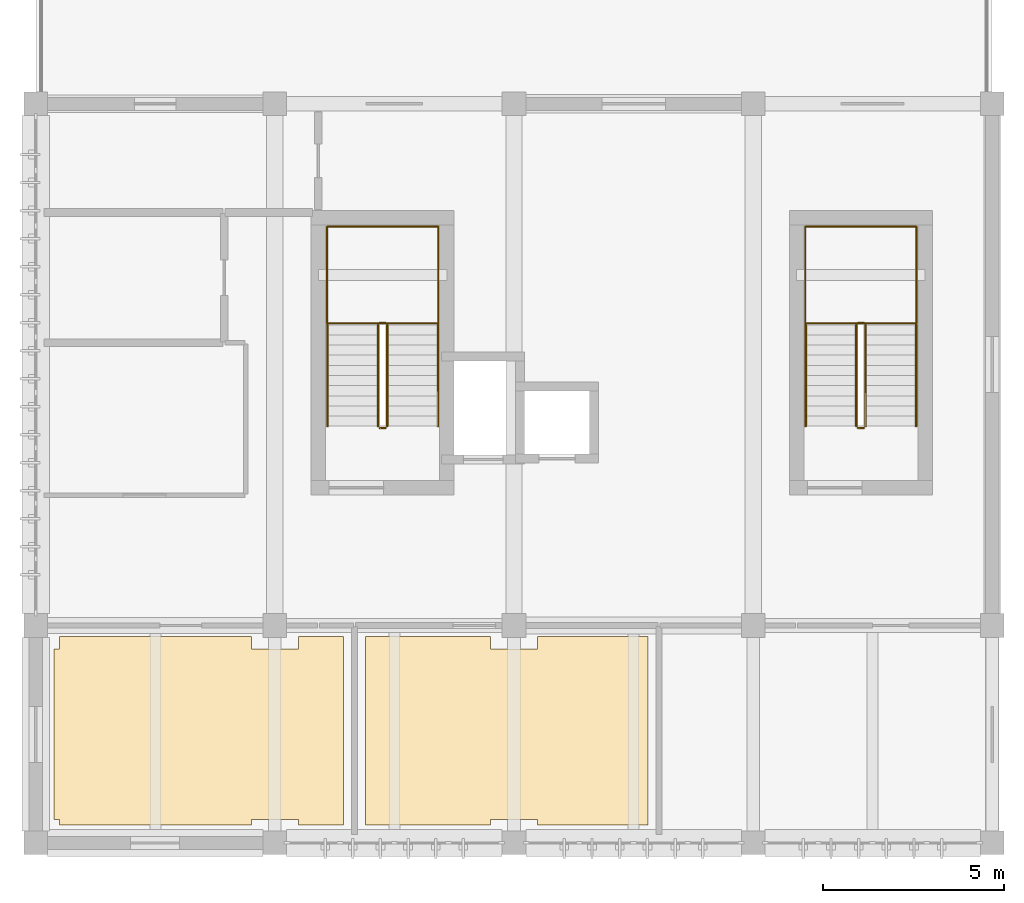
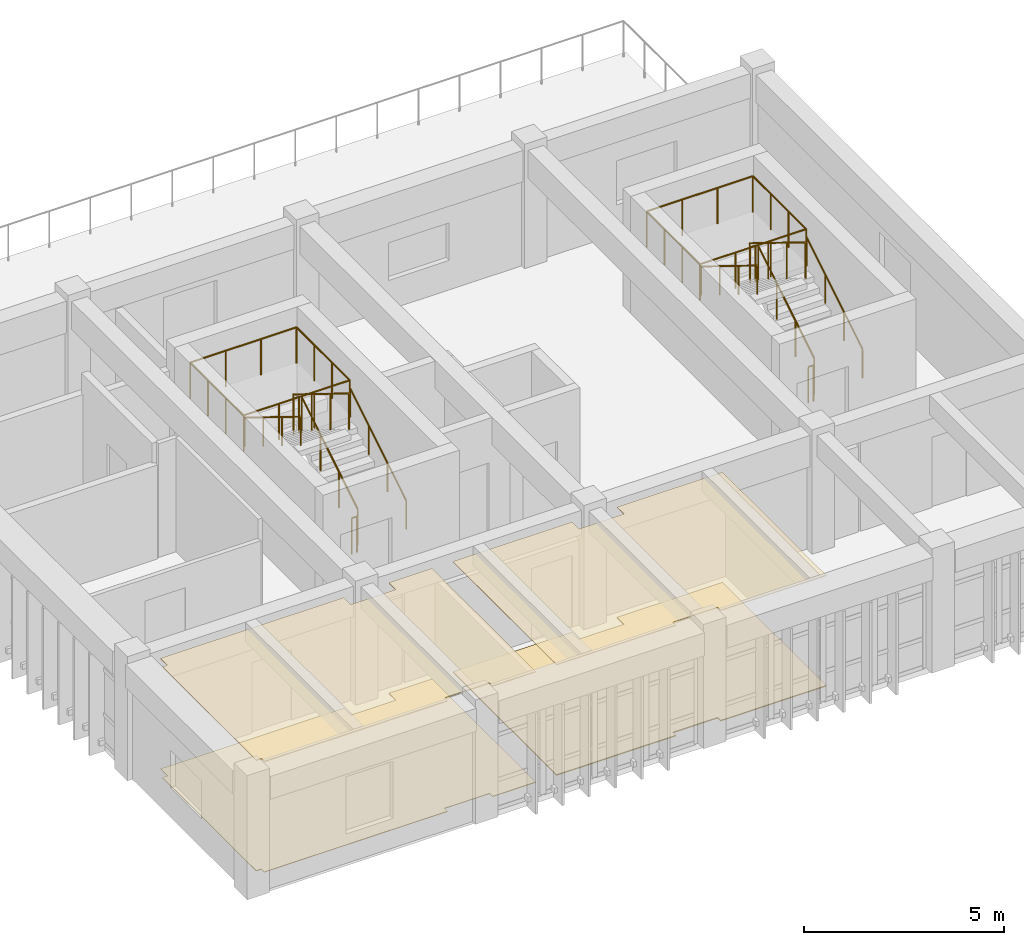
# One storey, part 7 of 8: 16 railings, 4 coverings.
"""IFC4 building model written with IfcOpenShell, lengths in metres."""

from ifc_helpers import new_model, si_unit, direction, frame, origin, origin_2d, place, context, subcontext, project, spatial, polyline, circle, outline, extrude, material, layer, layer_set, type_object, element, save


model = new_model("IFC4")

# Units and contexts
model_context = context("Model", 3, precision=1e-05, world=origin(), true_north=direction((0.0, 1.0)))
body_context = subcontext(model_context, "Body", "Model", "MODEL_VIEW")
ifc_project = project(units=[si_unit("LENGTHUNIT", "METRE"), si_unit("AREAUNIT", "SQUARE_METRE"), si_unit("VOLUMEUNIT", "CUBIC_METRE"), si_unit("PLANEANGLEUNIT", "RADIAN"), si_unit("MASSUNIT", "GRAM", prefix="KILO")], contexts=[model_context])

# Site, building, storey
site_placement = place(None, origin())
site = spatial("IfcSite", under=ifc_project, at=site_placement, CompositionType="ELEMENT")
building_placement = place(site_placement, origin())
building = spatial("IfcBuilding", under=site, at=building_placement, Name="Miralva Faculty of Natural Sciences", CompositionType="ELEMENT")
storey_placement = place(building_placement, frame((0.0, 0.0, 36.800048828125)))
storey = spatial("IfcBuildingStorey", under=building, at=storey_placement, Name="L08", CompositionType="ELEMENT", Elevation=36.800048828125)

# Coverings
ifc_material_1 = material(Name="Acoustic mineral-fibre board")
ifc_layer_1 = layer(ifc_material_1, 0.02197265625, Name="COV-CL01")
ifc_layer_set_1 = layer_set([ifc_layer_1], Name="Acoustic mineral-fibre board")
covering_type_1 = type_object("IfcCoveringType", Name="COV-CL01", PredefinedType="CEILING", material=ifc_layer_set_1)
covering_1_placement = place(storey_placement, frame((0.0, 0.0, 3.3779296875)))
element("IfcCovering", 1, at=covering_1_placement, inside=storey, type_object=covering_type_1, Name="Suspended acoustic ceiling L08-02", PredefinedType="CEILING", context=body_context, shape_type="SweptSolid", body=[
    extrude(outline(polyline([(15.550048828125, 8.35009765625), (16.85009765625, 8.35009765625), (16.85009765625, 8.699951171875), (19.89990234375, 8.699951171875), (19.89990234375, 3.5), (16.85009765625, 3.5), (16.85009765625, 3.64990234375), (15.550048828125, 3.64990234375), (15.550048828125, 3.5), (12.10009765625, 3.5), (12.10009765625, 8.699951171875), (15.550048828125, 8.699951171875), (15.550048828125, 8.35009765625)])), origin(), (0.0, 0.0, 1.0), 0.02197265625),
])
ifc_material_2 = material(Name="Gypsum plasterboard")
ifc_layer_2 = layer(ifc_material_2, 0.028076171875, Name="COV-CL02")
ifc_layer_set_2 = layer_set([ifc_layer_2], Name="Gypsum plasterboard")
covering_type_2 = type_object("IfcCoveringType", Name="COV-CL02", PredefinedType="CEILING", material=ifc_layer_set_2)
covering_2_placement = place(storey_placement, frame((0.0, 0.0, 3.3720703125)))
element("IfcCovering", 2, at=covering_2_placement, inside=storey, type_object=covering_type_2, Name="Suspended acoustic ceiling L08-01", PredefinedType="CEILING", context=body_context, shape_type="SweptSolid", body=[
    extrude(outline(polyline([(8.949951171875, 8.35009765625), (10.25, 8.35009765625), (10.25, 8.699951171875), (11.5, 8.699951171875), (11.5, 3.5), (10.25, 3.5), (10.25, 3.64990234375), (8.949951171875, 3.64990234375), (8.949951171875, 3.5), (3.64990234375, 3.5), (3.64990234375, 3.64990234375), (3.5, 3.64990234375), (3.5, 8.35009765625), (3.64990234375, 8.35009765625), (3.64990234375, 8.699951171875), (8.949951171875, 8.699951171875), (8.949951171875, 8.35009765625)])), origin(), (0.0, 0.0, 1.0), 0.02783203125),
])
ifc_material_3 = material(Name="Polished terrazzo flooring")
ifc_layer_3 = layer(ifc_material_3, 0.030029296875, Name="COV-FL01")
ifc_layer_set_3 = layer_set([ifc_layer_3], Name="Polished terrazzo flooring")
covering_type_3 = type_object("IfcCoveringType", Name="COV-FL01", PredefinedType="FLOORING", material=ifc_layer_set_3)
covering_3_placement = place(storey_placement, origin())
element("IfcCovering", 3, at=covering_3_placement, inside=storey, type_object=covering_type_3, Name="Finished flooring L08-02", PredefinedType="FLOORING", context=body_context, shape_type="SweptSolid", body=[
    extrude(outline(polyline([(15.550048828125, 8.35009765625), (16.85009765625, 8.35009765625), (16.85009765625, 8.699951171875), (19.89990234375, 8.699951171875), (19.89990234375, 3.5), (16.85009765625, 3.5), (16.85009765625, 3.64990234375), (15.550048828125, 3.64990234375), (15.550048828125, 3.5), (12.10009765625, 3.5), (12.10009765625, 8.699951171875), (15.550048828125, 8.699951171875), (15.550048828125, 8.35009765625)])), origin(), (0.0, 0.0, 1.0), 0.030029296875),
])
ifc_layer_4 = layer(ifc_material_3, 0.01806640625, Name="COV-FL02")
ifc_layer_set_4 = layer_set([ifc_layer_4], Name="Polished terrazzo flooring")
covering_type_4 = type_object("IfcCoveringType", Name="COV-FL02", PredefinedType="FLOORING", material=ifc_layer_set_4)
covering_4_placement = place(storey_placement, origin())
element("IfcCovering", 4, at=covering_4_placement, inside=storey, type_object=covering_type_4, Name="Finished flooring L08-01", PredefinedType="FLOORING", context=body_context, shape_type="SweptSolid", body=[
    extrude(outline(polyline([(8.949951171875, 8.35009765625), (10.25, 8.35009765625), (10.25, 8.699951171875), (11.5, 8.699951171875), (11.5, 3.5), (10.25, 3.5), (10.25, 3.64990234375), (8.949951171875, 3.64990234375), (8.949951171875, 3.5), (3.64990234375, 3.5), (3.64990234375, 3.64990234375), (3.5, 3.64990234375), (3.5, 8.35009765625), (3.64990234375, 8.35009765625), (3.64990234375, 8.699951171875), (8.949951171875, 8.699951171875), (8.949951171875, 8.35009765625)])), origin(), (0.0, 0.0, 1.0), 0.01806640625),
])

# Railings
ifc_material_4 = material(Name="Steel S355", Category="steel")
railing_type_1 = type_object("IfcRailingType", Name="RL-GR01", PredefinedType="GUARDRAIL", material=ifc_material_4)
railing_1_placement = place(storey_placement, frame((12.699951171875, 14.5, 0.172607421875)))
element("IfcRailing", 5, at=railing_1_placement, inside=storey, type_object=railing_type_1, Name="Stair Core C1 safety guard L08-1", PredefinedType="GUARDRAIL", context=body_context, shape_type="SweptSolid", body=[
    extrude(circle(Radius=0.02392578125, at=origin_2d()), frame((0.0, 0.0, 1.09619140625), z_axis=(0.0, 0.851089632645, 0.525020415988), x_axis=(-1.0, 0.0, 0.0)), (0.0, 0.0, 1.0), 3.2900390625),
    extrude(circle(Radius=0.02099609375, at=origin_2d()), origin(), (0.0, 0.0, 1.0), 1.072021484375),
    extrude(circle(Radius=0.02099609375, at=origin_2d()), frame((0.0, 0.933349609375, 0.57568359375)), (0.0, 0.0, 1.0), 1.072021484375),
    extrude(circle(Radius=0.02099609375, at=origin_2d()), frame((0.0, 1.86669921875, 1.151611328125)), (0.0, 0.0, 1.0), 1.072021484375),
    extrude(circle(Radius=0.02099609375, at=origin_2d()), frame((0.0, 2.800048828125, 1.727294921875)), (0.0, 0.0, 1.0), 1.072021484375),
])
railing_2_placement = place(storey_placement, frame((12.64990234375, 17.35009765625, 1.89990234375)))
element("IfcRailing", 6, at=railing_2_placement, inside=storey, type_object=railing_type_1, Name="Stair Core C1 safety guard L08-2", PredefinedType="GUARDRAIL", context=body_context, shape_type="SweptSolid", body=[
    extrude(circle(Radius=0.02392578125, at=origin_2d()), frame((0.0, 0.0, 1.09619140625), z_axis=(-1.0, 0.0, 0.0), x_axis=(0.0, -1.0, 0.0)), (0.0, 0.0, 1.0), 0.14990234375),
    extrude(circle(Radius=0.02099609375, at=origin_2d()), origin(), (0.0, 0.0, 1.0), 1.072021484375),
    extrude(circle(Radius=0.02099609375, at=origin_2d()), frame((-0.14990234375, 0.0, 0.0)), (0.0, 0.0, 1.0), 1.072021484375),
])
railing_3_placement = place(storey_placement, frame((12.449951171875, 17.300048828125, 2.07275390625)))
element("IfcRailing", 7, at=railing_3_placement, inside=storey, type_object=railing_type_1, Name="Stair Core C1 safety guard L08-3", PredefinedType="GUARDRAIL", context=body_context, shape_type="SweptSolid", body=[
    extrude(circle(Radius=0.02392578125, at=origin_2d()), frame((0.0, 0.0, 1.09619140625), z_axis=(0.0, -0.851089632645, 0.525020415988), x_axis=(1.0, 0.0, 0.0)), (0.0, 0.0, 1.0), 3.2900390625),
    extrude(circle(Radius=0.02099609375, at=origin_2d()), origin(), (0.0, 0.0, 1.0), 1.072021484375),
    extrude(circle(Radius=0.02099609375, at=origin_2d()), frame((0.0, -0.933349609375, 0.57568359375)), (0.0, 0.0, 1.0), 1.072021484375),
    extrude(circle(Radius=0.02099609375, at=origin_2d()), frame((0.0, -1.86669921875, 1.151611328125)), (0.0, 0.0, 1.0), 1.072021484375),
    extrude(circle(Radius=0.02099609375, at=origin_2d()), frame((0.0, -2.800048828125, 1.727294921875)), (0.0, 0.0, 1.0), 1.072021484375),
])
railing_4_placement = place(storey_placement, frame((12.64990234375, 14.449951171875, 0.0)))
element("IfcRailing", 8, at=railing_4_placement, inside=storey, type_object=railing_type_1, Name="Stair Core C1 safety guard L08-4", PredefinedType="GUARDRAIL", context=body_context, shape_type="SweptSolid", body=[
    extrude(circle(Radius=0.02392578125, at=origin_2d()), frame((0.0, 0.0, 1.09619140625), z_axis=(-1.0, 0.0, 0.0), x_axis=(0.0, -1.0, 0.0)), (0.0, 0.0, 1.0), 0.14990234375),
    extrude(circle(Radius=0.02099609375, at=origin_2d()), origin(), (0.0, 0.0, 1.0), 1.072021484375),
    extrude(circle(Radius=0.02099609375, at=origin_2d()), frame((-0.14990234375, 0.0, 0.0)), (0.0, 0.0, 1.0), 1.072021484375),
])
railing_5_placement = place(storey_placement, frame((11.0400390625, 17.340087890625, 1.89990234375)))
element("IfcRailing", 9, at=railing_5_placement, inside=storey, type_object=railing_type_1, Name="Stair Core C1 half-landing guard L08-1A", PredefinedType="GUARDRAIL", context=body_context, shape_type="SweptSolid", body=[
    extrude(circle(Radius=0.02392578125, at=origin_2d()), frame((0.0, 0.0, 1.09619140625), z_axis=(0.0, 1.0, 0.0), x_axis=(-1.0, 0.0, 0.0)), (0.0, 0.0, 1.0), 2.669921875),
    extrude(circle(Radius=0.02392578125, at=origin_2d()), frame((0.0, 2.669921875, 1.09619140625), z_axis=(1.0, 0.0, 0.0), x_axis=(0.0, 1.0, 0.0)), (0.0, 0.0, 1.0), 3.070068359375),
    extrude(circle(Radius=0.02099609375, at=origin_2d()), origin(), (0.0, 0.0, 1.0), 1.072021484375),
    extrude(circle(Radius=0.02099609375, at=origin_2d()), frame((0.0, 0.889892578125, 0.0)), (0.0, 0.0, 1.0), 1.072021484375),
    extrude(circle(Radius=0.02099609375, at=origin_2d()), frame((0.0, 1.780029296875, 0.0)), (0.0, 0.0, 1.0), 1.072021484375),
    extrude(circle(Radius=0.02099609375, at=origin_2d()), frame((0.0, 2.669921875, 0.0)), (0.0, 0.0, 1.0), 1.072021484375),
    extrude(circle(Radius=0.02099609375, at=origin_2d()), frame((1.0234375, 2.669921875, 0.0)), (0.0, 0.0, 1.0), 1.072021484375),
    extrude(circle(Radius=0.02099609375, at=origin_2d()), frame((2.046630859375, 2.669921875, 0.0)), (0.0, 0.0, 1.0), 1.072021484375),
    extrude(circle(Radius=0.02099609375, at=origin_2d()), frame((3.070068359375, 2.669921875, 0.0)), (0.0, 0.0, 1.0), 1.072021484375),
])
railing_6_placement = place(storey_placement, frame((14.110107421875, 20.010009765625, 1.89990234375)))
element("IfcRailing", 10, at=railing_6_placement, inside=storey, type_object=railing_type_1, Name="Stair Core C1 half-landing guard L08-1B", PredefinedType="GUARDRAIL", context=body_context, shape_type="SweptSolid", body=[
    extrude(circle(Radius=0.02392578125, at=origin_2d()), frame((0.0, 0.0, 1.09619140625), z_axis=(0.0, -1.0, 0.0), x_axis=(1.0, 0.0, 0.0)), (0.0, 0.0, 1.0), 2.669921875),
    extrude(circle(Radius=0.02392578125, at=origin_2d()), frame((0.0, -2.669921875, 1.09619140625), z_axis=(-1.0, 0.0, 0.0), x_axis=(0.0, -1.0, 0.0)), (0.0, 0.0, 1.0), 3.070068359375),
    extrude(circle(Radius=0.02099609375, at=origin_2d()), origin(), (0.0, 0.0, 1.0), 1.072021484375),
    extrude(circle(Radius=0.02099609375, at=origin_2d()), frame((0.0, -0.889892578125, 0.0)), (0.0, 0.0, 1.0), 1.072021484375),
    extrude(circle(Radius=0.02099609375, at=origin_2d()), frame((0.0, -1.780029296875, 0.0)), (0.0, 0.0, 1.0), 1.072021484375),
    extrude(circle(Radius=0.02099609375, at=origin_2d()), frame((0.0, -2.669921875, 0.0)), (0.0, 0.0, 1.0), 1.072021484375),
    extrude(circle(Radius=0.02099609375, at=origin_2d()), frame((-1.0234375, -2.669921875, 0.0)), (0.0, 0.0, 1.0), 1.072021484375),
    extrude(circle(Radius=0.02099609375, at=origin_2d()), frame((-2.046630859375, -2.669921875, 0.0)), (0.0, 0.0, 1.0), 1.072021484375),
    extrude(circle(Radius=0.02099609375, at=origin_2d()), frame((-3.070068359375, -2.669921875, 0.0)), (0.0, 0.0, 1.0), 1.072021484375),
])
railing_7_placement = place(storey_placement, frame((25.89990234375, 14.5, 0.172607421875)))
element("IfcRailing", 11, at=railing_7_placement, inside=storey, type_object=railing_type_1, Name="Stair Core C1B safety guard L08-1", PredefinedType="GUARDRAIL", context=body_context, shape_type="SweptSolid", body=[
    extrude(circle(Radius=0.02392578125, at=origin_2d()), frame((0.0, 0.0, 1.09619140625), z_axis=(0.0, 0.851089632645, 0.525020415988), x_axis=(-1.0, 0.0, 0.0)), (0.0, 0.0, 1.0), 3.2900390625),
    extrude(circle(Radius=0.02099609375, at=origin_2d()), origin(), (0.0, 0.0, 1.0), 1.072021484375),
    extrude(circle(Radius=0.02099609375, at=origin_2d()), frame((0.0, 0.933349609375, 0.57568359375)), (0.0, 0.0, 1.0), 1.072021484375),
    extrude(circle(Radius=0.02099609375, at=origin_2d()), frame((0.0, 1.86669921875, 1.151611328125)), (0.0, 0.0, 1.0), 1.072021484375),
    extrude(circle(Radius=0.02099609375, at=origin_2d()), frame((0.0, 2.800048828125, 1.727294921875)), (0.0, 0.0, 1.0), 1.072021484375),
])
railing_8_placement = place(storey_placement, frame((25.85009765625, 17.35009765625, 1.89990234375)))
element("IfcRailing", 12, at=railing_8_placement, inside=storey, type_object=railing_type_1, Name="Stair Core C1B safety guard L08-2", PredefinedType="GUARDRAIL", context=body_context, shape_type="SweptSolid", body=[
    extrude(circle(Radius=0.02392578125, at=origin_2d()), frame((0.0, 0.0, 1.09619140625), z_axis=(-1.0, 0.0, 0.0), x_axis=(0.0, -1.0, 0.0)), (0.0, 0.0, 1.0), 0.150146484375),
    extrude(circle(Radius=0.02099609375, at=origin_2d()), origin(), (0.0, 0.0, 1.0), 1.072021484375),
    extrude(circle(Radius=0.02099609375, at=origin_2d()), frame((-0.150146484375, 0.0, 0.0)), (0.0, 0.0, 1.0), 1.072021484375),
])
railing_9_placement = place(storey_placement, frame((25.64990234375, 17.300048828125, 2.07275390625)))
element("IfcRailing", 13, at=railing_9_placement, inside=storey, type_object=railing_type_1, Name="Stair Core C1B safety guard L08-3", PredefinedType="GUARDRAIL", context=body_context, shape_type="SweptSolid", body=[
    extrude(circle(Radius=0.02392578125, at=origin_2d()), frame((0.0, 0.0, 1.09619140625), z_axis=(0.0, -0.851089632645, 0.525020415988), x_axis=(1.0, 0.0, 0.0)), (0.0, 0.0, 1.0), 3.2900390625),
    extrude(circle(Radius=0.02099609375, at=origin_2d()), origin(), (0.0, 0.0, 1.0), 1.072021484375),
    extrude(circle(Radius=0.02099609375, at=origin_2d()), frame((0.0, -0.933349609375, 0.57568359375)), (0.0, 0.0, 1.0), 1.072021484375),
    extrude(circle(Radius=0.02099609375, at=origin_2d()), frame((0.0, -1.86669921875, 1.151611328125)), (0.0, 0.0, 1.0), 1.072021484375),
    extrude(circle(Radius=0.02099609375, at=origin_2d()), frame((0.0, -2.800048828125, 1.727294921875)), (0.0, 0.0, 1.0), 1.072021484375),
])
railing_10_placement = place(storey_placement, frame((25.85009765625, 14.449951171875, 0.0)))
element("IfcRailing", 14, at=railing_10_placement, inside=storey, type_object=railing_type_1, Name="Stair Core C1B safety guard L08-4", PredefinedType="GUARDRAIL", context=body_context, shape_type="SweptSolid", body=[
    extrude(circle(Radius=0.02392578125, at=origin_2d()), frame((0.0, 0.0, 1.09619140625), z_axis=(-1.0, 0.0, 0.0), x_axis=(0.0, -1.0, 0.0)), (0.0, 0.0, 1.0), 0.150146484375),
    extrude(circle(Radius=0.02099609375, at=origin_2d()), origin(), (0.0, 0.0, 1.0), 1.072021484375),
    extrude(circle(Radius=0.02099609375, at=origin_2d()), frame((-0.150146484375, 0.0, 0.0)), (0.0, 0.0, 1.0), 1.072021484375),
])
railing_11_placement = place(storey_placement, frame((24.239990234375, 17.340087890625, 1.89990234375)))
element("IfcRailing", 15, at=railing_11_placement, inside=storey, type_object=railing_type_1, Name="Stair Core C1B half-landing guard L08-1A", PredefinedType="GUARDRAIL", context=body_context, shape_type="SweptSolid", body=[
    extrude(circle(Radius=0.02392578125, at=origin_2d()), frame((0.0, 0.0, 1.09619140625), z_axis=(0.0, 1.0, 0.0), x_axis=(-1.0, 0.0, 0.0)), (0.0, 0.0, 1.0), 2.669921875),
    extrude(circle(Radius=0.02392578125, at=origin_2d()), frame((0.0, 2.669921875, 1.09619140625), z_axis=(1.0, 0.0, 0.0), x_axis=(0.0, 1.0, 0.0)), (0.0, 0.0, 1.0), 3.070068359375),
    extrude(circle(Radius=0.02099609375, at=origin_2d()), origin(), (0.0, 0.0, 1.0), 1.072021484375),
    extrude(circle(Radius=0.02099609375, at=origin_2d()), frame((0.0, 0.889892578125, 0.0)), (0.0, 0.0, 1.0), 1.072021484375),
    extrude(circle(Radius=0.02099609375, at=origin_2d()), frame((0.0, 1.780029296875, 0.0)), (0.0, 0.0, 1.0), 1.072021484375),
    extrude(circle(Radius=0.02099609375, at=origin_2d()), frame((0.0, 2.669921875, 0.0)), (0.0, 0.0, 1.0), 1.072021484375),
    extrude(circle(Radius=0.02099609375, at=origin_2d()), frame((1.0234375, 2.669921875, 0.0)), (0.0, 0.0, 1.0), 1.072021484375),
    extrude(circle(Radius=0.02099609375, at=origin_2d()), frame((2.046630859375, 2.669921875, 0.0)), (0.0, 0.0, 1.0), 1.072021484375),
    extrude(circle(Radius=0.02099609375, at=origin_2d()), frame((3.070068359375, 2.669921875, 0.0)), (0.0, 0.0, 1.0), 1.072021484375),
])
railing_12_placement = place(storey_placement, frame((27.31005859375, 20.010009765625, 1.89990234375)))
element("IfcRailing", 16, at=railing_12_placement, inside=storey, type_object=railing_type_1, Name="Stair Core C1B half-landing guard L08-1B", PredefinedType="GUARDRAIL", context=body_context, shape_type="SweptSolid", body=[
    extrude(circle(Radius=0.02392578125, at=origin_2d()), frame((0.0, 0.0, 1.09619140625), z_axis=(0.0, -1.0, 0.0), x_axis=(1.0, 0.0, 0.0)), (0.0, 0.0, 1.0), 2.669921875),
    extrude(circle(Radius=0.02392578125, at=origin_2d()), frame((0.0, -2.669921875, 1.09619140625), z_axis=(-1.0, 0.0, 0.0), x_axis=(0.0, -1.0, 0.0)), (0.0, 0.0, 1.0), 3.070068359375),
    extrude(circle(Radius=0.02099609375, at=origin_2d()), origin(), (0.0, 0.0, 1.0), 1.072021484375),
    extrude(circle(Radius=0.02099609375, at=origin_2d()), frame((0.0, -0.889892578125, 0.0)), (0.0, 0.0, 1.0), 1.072021484375),
    extrude(circle(Radius=0.02099609375, at=origin_2d()), frame((0.0, -1.780029296875, 0.0)), (0.0, 0.0, 1.0), 1.072021484375),
    extrude(circle(Radius=0.02099609375, at=origin_2d()), frame((0.0, -2.669921875, 0.0)), (0.0, 0.0, 1.0), 1.072021484375),
    extrude(circle(Radius=0.02099609375, at=origin_2d()), frame((-1.0234375, -2.669921875, 0.0)), (0.0, 0.0, 1.0), 1.072021484375),
    extrude(circle(Radius=0.02099609375, at=origin_2d()), frame((-2.046630859375, -2.669921875, 0.0)), (0.0, 0.0, 1.0), 1.072021484375),
    extrude(circle(Radius=0.02099609375, at=origin_2d()), frame((-3.070068359375, -2.669921875, 0.0)), (0.0, 0.0, 1.0), 1.072021484375),
])
railing_type_2 = type_object("IfcRailingType", Name="RL-HR01", PredefinedType="HANDRAIL", material=ifc_material_4)
railing_13_placement = place(storey_placement, frame((14.10009765625, 14.5, 0.172607421875)))
element("IfcRailing", 17, at=railing_13_placement, inside=storey, type_object=railing_type_2, Name="Stair Core C1 handrail L08-1", PredefinedType="HANDRAIL", context=body_context, shape_type="SweptSolid", body=[
    extrude(circle(Radius=0.02392578125, at=origin_2d()), frame((0.0, 0.0, 0.8759765625), z_axis=(0.0, 0.851089632645, 0.525020415988), x_axis=(-1.0, 0.0, 0.0)), (0.0, 0.0, 1.0), 3.2900390625),
    extrude(circle(Radius=0.02099609375, at=origin_2d()), origin(), (0.0, 0.0, 1.0), 0.851806640625),
    extrude(circle(Radius=0.02099609375, at=origin_2d()), frame((0.0, 0.933349609375, 0.57568359375)), (0.0, 0.0, 1.0), 0.851806640625),
    extrude(circle(Radius=0.02099609375, at=origin_2d()), frame((0.0, 1.86669921875, 1.151611328125)), (0.0, 0.0, 1.0), 0.851806640625),
    extrude(circle(Radius=0.02099609375, at=origin_2d()), frame((0.0, 2.800048828125, 1.727294921875)), (0.0, 0.0, 1.0), 0.851806640625),
])
railing_14_placement = place(storey_placement, frame((11.050048828125, 17.300048828125, 2.07275390625)))
element("IfcRailing", 18, at=railing_14_placement, inside=storey, type_object=railing_type_2, Name="Stair Core C1 handrail L08-2", PredefinedType="HANDRAIL", context=body_context, shape_type="SweptSolid", body=[
    extrude(circle(Radius=0.02392578125, at=origin_2d()), frame((0.0, 0.0, 0.8759765625), z_axis=(0.0, -0.851089632645, 0.525020415988), x_axis=(1.0, 0.0, 0.0)), (0.0, 0.0, 1.0), 3.2900390625),
    extrude(circle(Radius=0.02099609375, at=origin_2d()), origin(), (0.0, 0.0, 1.0), 0.851806640625),
    extrude(circle(Radius=0.02099609375, at=origin_2d()), frame((0.0, -0.933349609375, 0.57568359375)), (0.0, 0.0, 1.0), 0.851806640625),
    extrude(circle(Radius=0.02099609375, at=origin_2d()), frame((0.0, -1.86669921875, 1.151611328125)), (0.0, 0.0, 1.0), 0.851806640625),
    extrude(circle(Radius=0.02099609375, at=origin_2d()), frame((0.0, -2.800048828125, 1.727294921875)), (0.0, 0.0, 1.0), 0.851806640625),
])
railing_15_placement = place(storey_placement, frame((27.300048828125, 14.5, 0.172607421875)))
element("IfcRailing", 19, at=railing_15_placement, inside=storey, type_object=railing_type_2, Name="Stair Core C1B handrail L08-1", PredefinedType="HANDRAIL", context=body_context, shape_type="SweptSolid", body=[
    extrude(circle(Radius=0.02392578125, at=origin_2d()), frame((0.0, 0.0, 0.8759765625), z_axis=(0.0, 0.851089632645, 0.525020415988), x_axis=(-1.0, 0.0, 0.0)), (0.0, 0.0, 1.0), 3.2900390625),
    extrude(circle(Radius=0.02099609375, at=origin_2d()), origin(), (0.0, 0.0, 1.0), 0.851806640625),
    extrude(circle(Radius=0.02099609375, at=origin_2d()), frame((0.0, 0.933349609375, 0.57568359375)), (0.0, 0.0, 1.0), 0.851806640625),
    extrude(circle(Radius=0.02099609375, at=origin_2d()), frame((0.0, 1.86669921875, 1.151611328125)), (0.0, 0.0, 1.0), 0.851806640625),
    extrude(circle(Radius=0.02099609375, at=origin_2d()), frame((0.0, 2.800048828125, 1.727294921875)), (0.0, 0.0, 1.0), 0.851806640625),
])
railing_16_placement = place(storey_placement, frame((24.25, 17.300048828125, 2.07275390625)))
element("IfcRailing", 20, at=railing_16_placement, inside=storey, type_object=railing_type_2, Name="Stair Core C1B handrail L08-2", PredefinedType="HANDRAIL", context=body_context, shape_type="SweptSolid", body=[
    extrude(circle(Radius=0.02392578125, at=origin_2d()), frame((0.0, 0.0, 0.8759765625), z_axis=(0.0, -0.851089632645, 0.525020415988), x_axis=(1.0, 0.0, 0.0)), (0.0, 0.0, 1.0), 3.2900390625),
    extrude(circle(Radius=0.02099609375, at=origin_2d()), origin(), (0.0, 0.0, 1.0), 0.851806640625),
    extrude(circle(Radius=0.02099609375, at=origin_2d()), frame((0.0, -0.933349609375, 0.57568359375)), (0.0, 0.0, 1.0), 0.851806640625),
    extrude(circle(Radius=0.02099609375, at=origin_2d()), frame((0.0, -1.86669921875, 1.151611328125)), (0.0, 0.0, 1.0), 0.851806640625),
    extrude(circle(Radius=0.02099609375, at=origin_2d()), frame((0.0, -2.800048828125, 1.727294921875)), (0.0, 0.0, 1.0), 0.851806640625),
])

save(model, "model.ifc")
